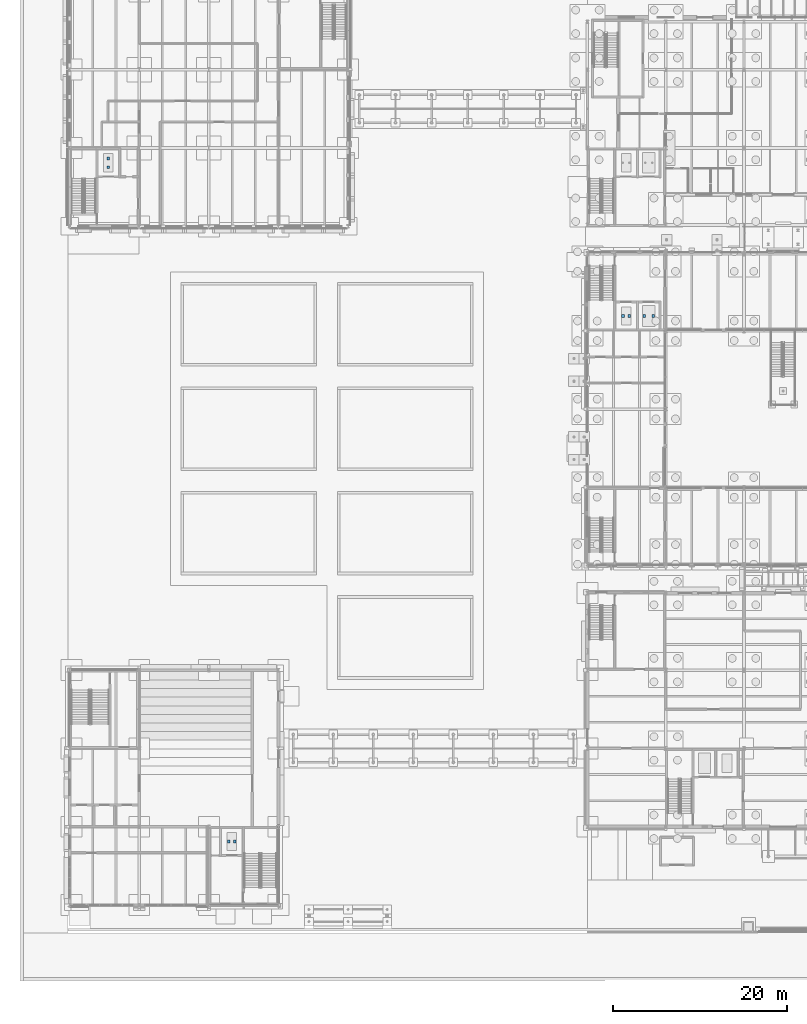
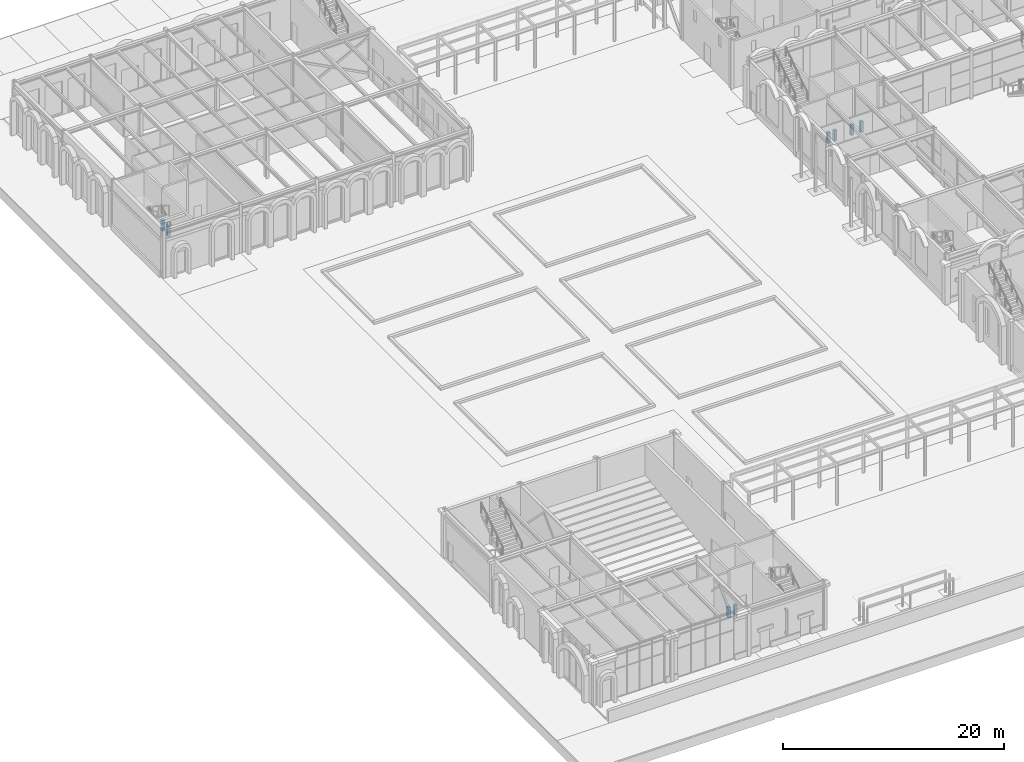
# One storey, part 87 of 126: 8 discrete accessories.
"""IFC4 building model written with IfcOpenShell, lengths in metres."""

import ifcopenshell
import ifcopenshell.guid

model = None  # the IFC model being written
_history = None  # IfcOwnerHistory: only IFC2X3 demands one
_inside = {}  # id of a spatial element -> (the spatial element, [elements in it])
_under = {}  # id of a project, library or spatial element -> (it, [spatial elements below it])
_declared = {}  # id of a project -> (the project, [libraries it declares])
_typed = {}  # id of a type object -> (the type object, [elements of that type])
_made_of = {}  # id of a material, layer set ... -> (it, [elements and type objects made of it])


def new_model(schema):
    """Start an empty IFC model of exactly this schema.

    Asked for "IFC4X3", IfcOpenShell would pick the latest addendum, in which some entities
    have other attributes; the version numbers below select the first issue.
    IFC2X3 requires an IfcOwnerHistory on every rooted entity: one is made here for all.
    """
    global model, _history
    if schema == "IFC4X3":
        model = ifcopenshell.file(schema_version=(4, 3, 0, 0))
    else:
        model = ifcopenshell.file(schema=schema)
    _inside.clear()
    _under.clear()
    _declared.clear()
    _typed.clear()
    _made_of.clear()
    _history = None
    if model.schema == "IFC2X3":
        org = make("IfcOrganization", Name="unknown")
        user = make(
            "IfcPersonAndOrganization",
            ThePerson=make("IfcPerson", FamilyName="unknown"),
            TheOrganization=org,
        )
        app = make(
            "IfcApplication",
            ApplicationDeveloper=org,
            Version="unknown",
            ApplicationFullName="unknown",
            ApplicationIdentifier="unknown",
        )
        _history = make(
            "IfcOwnerHistory",
            OwningUser=user,
            OwningApplication=app,
            ChangeAction="ADDED",
            CreationDate=0,
        )
    return model


def make(cls, **values):
    """One entity of the class cls with the attributes given. An attribute that is None is left unset."""
    return model.create_entity(
        cls, **{name: value for name, value in values.items() if value is not None}
    )


def rooted(cls, **values):
    """An entity with a GlobalId (a new one), such as an element, a storey or a relation."""
    return make(cls, GlobalId=ifcopenshell.guid.new(), OwnerHistory=_history, **values)


def si_unit(unit_type, name, prefix=None):
    """IfcSIUnit, for example si_unit("LENGTHUNIT", "METRE", prefix="MILLI")."""
    return make("IfcSIUnit", UnitType=unit_type, Prefix=prefix, Name=name)


def assignment(units):
    """IfcUnitAssignment: the units of a project."""
    return None if units is None else make("IfcUnitAssignment", Units=units)


def point(xyz):
    """IfcCartesianPoint."""
    return None if xyz is None else make("IfcCartesianPoint", Coordinates=xyz)


def direction(xyz):
    """IfcDirection."""
    return None if xyz is None else make("IfcDirection", DirectionRatios=xyz)


def frame(location, z_axis=None, x_axis=None):
    """IfcAxis2Placement3D, a coordinate frame: its origin and axes. An axis left out is left unset."""
    return make(
        "IfcAxis2Placement3D",
        Location=point(location),
        Axis=direction(z_axis),
        RefDirection=direction(x_axis),
    )


def frame_2d(location, x_axis=None):
    """IfcAxis2Placement2D, a coordinate frame in the plane: its origin and x axis."""
    return make(
        "IfcAxis2Placement2D", Location=point(location), RefDirection=direction(x_axis)
    )


def origin():
    """The frame at (0, 0, 0) with its axes left unset."""
    return frame((0.0, 0.0, 0.0))


def origin_2d():
    """The frame at (0, 0) in the plane with its x axis left unset."""
    return frame_2d((0.0, 0.0))


def place(relative_to, where):
    """IfcLocalPlacement: puts the frame where relative to a parent placement (None: the world)."""
    return make(
        "IfcLocalPlacement", PlacementRelTo=relative_to, RelativePlacement=where
    )


def context(
    kind, dimensions, precision=None, world=None, true_north=None, identifier=None
):
    """IfcGeometricRepresentationContext, for example the 3D "Model" context."""
    return make(
        "IfcGeometricRepresentationContext",
        ContextIdentifier=identifier,
        ContextType=kind,
        CoordinateSpaceDimension=dimensions,
        Precision=precision,
        WorldCoordinateSystem=world,
        TrueNorth=true_north,
    )


def subcontext(parent, identifier, kind, view, scale=None):
    """IfcGeometricRepresentationSubContext, for example "Body" below "Model"."""
    return make(
        "IfcGeometricRepresentationSubContext",
        ContextIdentifier=identifier,
        ContextType=kind,
        ParentContext=parent,
        TargetScale=scale,
        TargetView=view,
    )


def project(units=None, contexts=None):
    """IfcProject with its units and contexts."""
    return rooted(
        "IfcProject",
        Name="project",
        RepresentationContexts=contexts,
        UnitsInContext=assignment(units),
    )


def spatial(cls, under=None, at=None, **own):
    """A site, building, storey or space (cls), placed at a placement, below another one or the project."""
    s = rooted(cls, ObjectPlacement=at, **own)
    if under is not None:
        _under.setdefault(under.id(), (under, []))[1].append(s)
    return s


def profile(cls, at=None, kind="AREA", **sizes):
    """A parametric profile (cls). Its sizes go by their IFC names, for example OverallWidth=200.0."""
    return make(cls, ProfileType=kind, Position=at, **sizes)


def rectangle(**sizes):
    """IfcRectangleProfileDef."""
    return profile("IfcRectangleProfileDef", **sizes)


def extrude(swept, where, along, depth):
    """IfcExtrudedAreaSolid: the profile swept, set in the frame where, extruded along a direction by depth."""
    return make(
        "IfcExtrudedAreaSolid",
        SweptArea=swept,
        Position=where,
        ExtrudedDirection=direction(along),
        Depth=depth,
    )


def shape(context_of_items, identifier, shape_type, items):
    """IfcShapeRepresentation: the items that make up one representation, for example the "Body"."""
    return make(
        "IfcShapeRepresentation",
        ContextOfItems=context_of_items,
        RepresentationIdentifier=identifier,
        RepresentationType=shape_type,
        Items=items,
    )


def material(Name=None, Category=None):
    """IfcMaterial."""
    return make("IfcMaterial", Name=Name, Category=Category)


def made_of(thing, what):
    """Note that an element or type object is made of a material, layer set ...; save() writes the relation."""
    if what is not None:
        _made_of.setdefault(what.id(), (what, []))[1].append(thing)
    return thing


def type_object(cls, material=None, **own):
    """A type object (cls), such as IfcWallType, which elements share."""
    return made_of(rooted(cls, **own), material)


def element(
    cls,
    number,
    at=None,
    inside=None,
    cuts=None,
    type_object=None,
    material=None,
    context=None,
    identifier="Body",
    shape_type=None,
    held_by="IfcProductDefinitionShape",
    body=None,
    shapes=None,
    **own,
):
    """One element of the class cls, such as IfcWall. Its Tag is "e" and its number.

    at: its placement. inside: the storey or other place that contains it. cuts: it is an
    opening in that element (IfcRelVoidsElement). A single representation is given by context,
    identifier, shape_type and body (its items); several are given by shapes. held_by: the class
    of the entity that holds the representations. save() writes the other relations.
    """
    e = rooted(cls, Tag="e%d" % number, ObjectPlacement=at, **own)
    if body is not None:
        shapes = [shape(context, identifier, shape_type, body)]
    if shapes is not None:
        e.Representation = make(held_by, Representations=shapes)
    if inside is not None:
        _inside.setdefault(inside.id(), (inside, []))[1].append(e)
    if cuts is not None:
        rooted(
            "IfcRelVoidsElement", RelatingBuildingElement=cuts, RelatedOpeningElement=e
        )
    if type_object is not None:
        _typed.setdefault(type_object.id(), (type_object, []))[1].append(e)
    return made_of(e, material)


def aggregate(whole, parts):
    """IfcRelAggregates: a whole, such as a stair, and the parts it consists of."""
    return rooted("IfcRelAggregates", RelatingObject=whole, RelatedObjects=parts)


def save(model, path):
    """Write the relations noted so far, then the file.

    IfcRelAggregates (storeys below a building ...), IfcRelContainedInSpatialStructure (elements
    in a storey), IfcRelDefinesByType, IfcRelAssociatesMaterial and IfcRelDeclares: one each for
    every whole, place, type object, material and project.
    """
    for whole, parts in _under.values():
        aggregate(whole, parts)
    for where, things in _inside.values():
        rooted(
            "IfcRelContainedInSpatialStructure",
            RelatedElements=things,
            RelatingStructure=where,
        )
    for kind, things in _typed.values():
        rooted("IfcRelDefinesByType", RelatedObjects=things, RelatingType=kind)
    for what, things in _made_of.values():
        rooted("IfcRelAssociatesMaterial", RelatedObjects=things, RelatingMaterial=what)
    for by, libraries in _declared.values():
        rooted("IfcRelDeclares", RelatingContext=by, RelatedDefinitions=libraries)
    model.write(path)


model = new_model("IFC4")

# Units and contexts
model_context = context("Model", 3, precision=1e-05, world=origin(), true_north=direction((0.0, 1.0)))
body_context = subcontext(model_context, "Body", "Model", "MODEL_VIEW")
ifc_project = project(units=[si_unit("LENGTHUNIT", "METRE"), si_unit("AREAUNIT", "SQUARE_METRE"), si_unit("VOLUMEUNIT", "CUBIC_METRE"), si_unit("PLANEANGLEUNIT", "RADIAN"), si_unit("MASSUNIT", "GRAM", prefix="KILO")], contexts=[model_context])

# Site, building, storey
site_placement = place(None, origin())
site = spatial("IfcSite", under=ifc_project, at=site_placement, CompositionType="ELEMENT")
building_placement = place(site_placement, origin())
building = spatial("IfcBuilding", under=site, at=building_placement, Name="Kallimachos Central Library", CompositionType="ELEMENT")
storey_placement = place(building_placement, origin())
storey = spatial("IfcBuildingStorey", under=building, at=storey_placement, Name="L00", CompositionType="ELEMENT", Elevation=0.0)

# Discrete accessories
ifc_material_1 = material(Name="Steel S355J2", Category="steel")
discrete_accessory_type_1 = type_object("IfcDiscreteAccessoryType", Name="Hanger bracket", PredefinedType="BRACKET", material=ifc_material_1)
for number, where, z_axis, x_axis, name in (
    (1, (10.449951171875, 93.800048828125, -1.099853515625), (0.0, 0.0, 1.0), (1.0, 0.0, 0.0), "Lift LF5 buffer"),
    (2, (10.449951171875, 94.800048828125, -1.099853515625), (0.0, 0.0, 1.0), (1.0, 0.0, 0.0), "Lift LF5 buffer"),
):
    element("IfcDiscreteAccessory", number, at=place(storey_placement, frame(where, z_axis=z_axis, x_axis=x_axis)), inside=storey, type_object=discrete_accessory_type_1, Name=name, PredefinedType="BRACKET", context=body_context, shape_type="SweptSolid", body=[
        extrude(rectangle(XDim=0.300048828125, YDim=0.300048828125, at=origin_2d()), origin(), (0.0, 0.0, 1.0), 1.14990234375),
    ])
ifc_material_2 = material(Name="Steel S355J2", Category="steel")
discrete_accessory_type_2 = type_object("IfcDiscreteAccessoryType", Name="Lift buffer", PredefinedType="BRACKET", material=ifc_material_2)
for number, where, z_axis, x_axis, name in (
    (3, (69.60009765625, 76.699951171875, -1.099853515625), (0.0, 0.0, 1.0), (1.0, 0.0, 0.0), "Buffer LF7"),
    (4, (70.300048828125, 76.699951171875, -1.099853515625), (0.0, 0.0, 1.0), (1.0, 0.0, 0.0), "Buffer LF7"),
    (5, (72.050048828125, 76.699951171875, -1.099853515625), (0.0, 0.0, 1.0), (1.0, 0.0, 0.0), "Buffer LF8"),
    (6, (73.050048828125, 76.699951171875, -1.099853515625), (0.0, 0.0, 1.0), (1.0, 0.0, 0.0), "Buffer LF8"),
    (7, (24.300048828125, 16.300048828125, -1.099853515625), (0.0, 0.0, 1.0), (1.0, 0.0, 0.0), "Buffer LF14"),
    (8, (25.0, 16.300048828125, -1.099853515625), (0.0, 0.0, 1.0), (1.0, 0.0, 0.0), "Buffer LF14"),
):
    element("IfcDiscreteAccessory", number, at=place(storey_placement, frame(where, z_axis=z_axis, x_axis=x_axis)), inside=storey, type_object=discrete_accessory_type_2, Name=name, PredefinedType="BRACKET", context=body_context, shape_type="SweptSolid", body=[
        extrude(rectangle(XDim=0.300048828125, YDim=0.300048828125, at=origin_2d()), origin(), (0.0, 0.0, 1.0), 1.14990234375),
    ])

save(model, "model.ifc")
